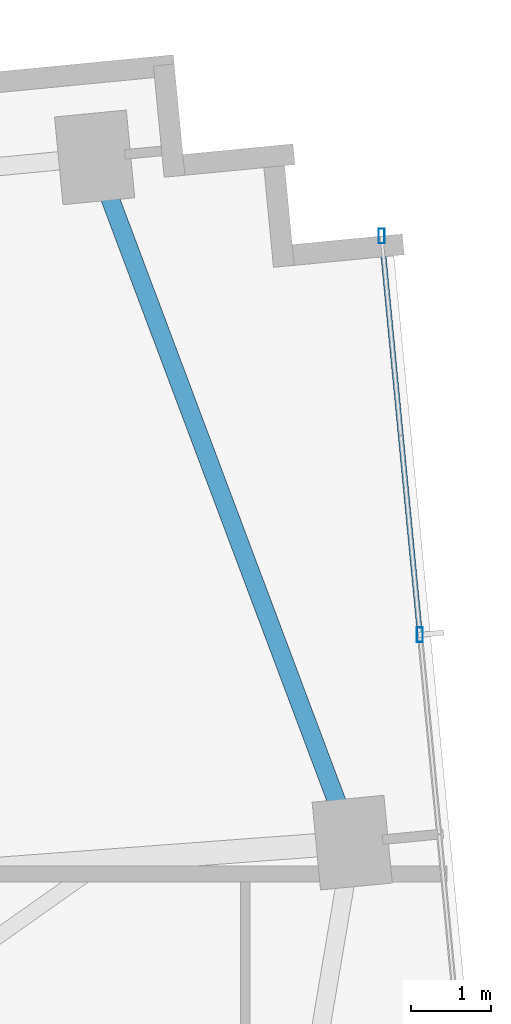
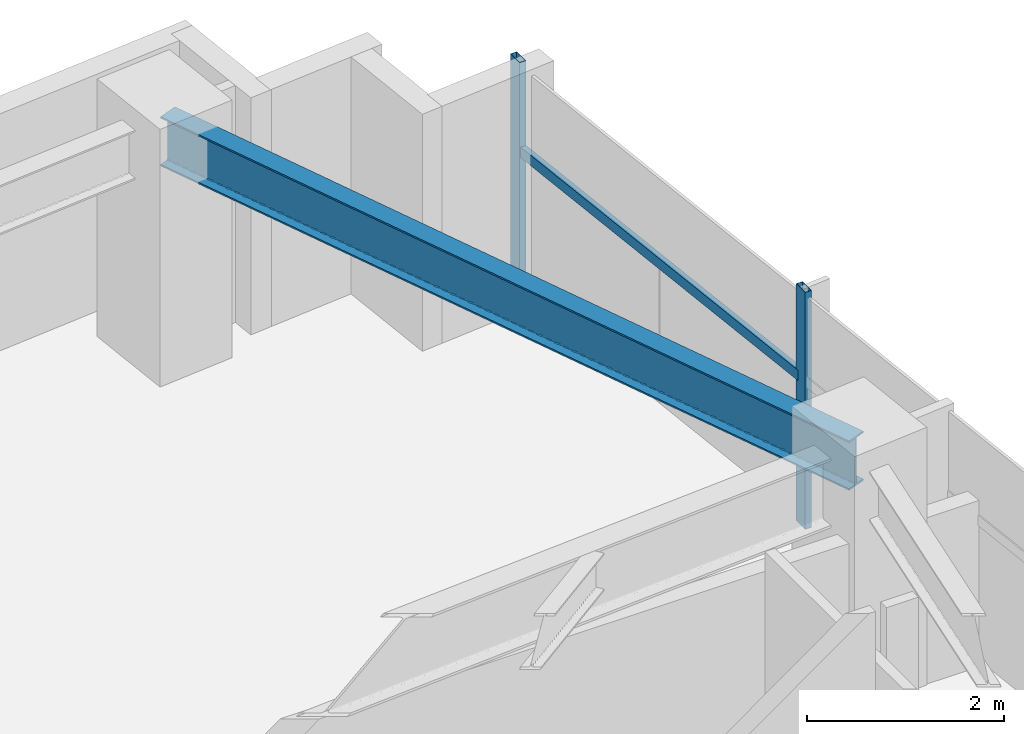
# One storey, part 19 of 27: 3 members, 1 beam, 1 element without a shape of its own.
"""IFC4 building model written with IfcOpenShell, lengths in metres."""

from ifc_helpers import new_model, si_unit, direction, frame, origin, origin_2d, place, context, subcontext, project, spatial, hollow_rectangle, i_section, extrude, source, transform, mapped, material, material_profile, profile_set, type_object, type_shapes, element, aggregate, save


model = new_model("IFC4")

# Units and contexts
model_context = context("Model", 3, precision=1e-05, world=origin(), true_north=direction((0.0, 1.0)))
body_context = subcontext(model_context, "Body", "Model", "MODEL_VIEW")
ifc_project = project(units=[si_unit("LENGTHUNIT", "METRE"), si_unit("AREAUNIT", "SQUARE_METRE"), si_unit("VOLUMEUNIT", "CUBIC_METRE"), si_unit("PLANEANGLEUNIT", "RADIAN"), si_unit("MASSUNIT", "GRAM", prefix="KILO")], contexts=[model_context])

# Site, building, storey
site_placement = place(None, origin())
site = spatial("IfcSite", under=ifc_project, at=site_placement, CompositionType="ELEMENT")
building_placement = place(site_placement, origin())
building = spatial("IfcBuilding", under=site, at=building_placement, Name="Astriad Promenade Condominiums", CompositionType="ELEMENT")
storey_placement = place(building_placement, frame((0.0, 0.0, 109.800048828125)))
storey = spatial("IfcBuildingStorey", under=building, at=storey_placement, Name="L31", CompositionType="ELEMENT", Elevation=109.800048828125)

# Beam
ifc_material_1 = material(Name="Steel ASTM A992 Grade 50", Category="steel")
ifc_material_profile_1 = material_profile(ifc_material_1, i_section(OverallWidth=0.22900390625, OverallDepth=0.612060546875, WebThickness=0.011962890625, FlangeThickness=0.01953125, FilletRadius=0.017822265625, at=origin_2d()), Name="W24X84")
ifc_profile_set_1 = profile_set([ifc_material_profile_1], Name="Steel ASTM A992 Grade 50")
beam_type = type_object("IfcBeamType", Name="STEEL SPANDREL BEAM W24X84", PredefinedType="SPANDREL", material=ifc_profile_set_1)
shared_shape_1 = source(origin(), body_context, "Body", "SweptSolid", [
    extrude(i_section(OverallWidth=0.22900390625, OverallDepth=0.612060546875, WebThickness=0.011962890625, FlangeThickness=0.01953125, FilletRadius=0.017822265625, at=origin_2d()), origin(), (0.0, 0.0, 1.0), 9.0556640625),
])
type_shapes(beam_type, [shared_shape_1])
beam_placement = place(storey_placement, frame((67.63427734375, 19.07666015625, 2.6337890625), z_axis=(-0.351856057459, 0.936054119605, 0.0), x_axis=(-0.936054119605, -0.351856057459, 0.0)))
element("IfcBeam", 1, at=beam_placement, inside=storey, type_object=beam_type, Name="Perimeter Spandrel Beam SP-E2-L31", PredefinedType="SPANDREL", context=body_context, shape_type="MappedRepresentation", body=[
    mapped(shared_shape_1, transform((0.0, 0.0, 0.0), scale=1.0)),
])

# Curtain wall, members
ifc_material_2 = material(Name="Anodised aluminium Black Dark Glass Unitised", Category="aluminium")
curtain_wall_type = type_object("IfcCurtainWallType", Name="CW-B2-DARK", PredefinedType="USERDEFINED", material=ifc_material_2)
curtain_wall_placement = place(storey_placement, origin())
curtain_wall = element("IfcCurtainWall", 2, at=curtain_wall_placement, inside=storey, type_object=curtain_wall_type, Name="CW-L31-E", ObjectType="UNITISED_CURTAIN_WALL", PredefinedType="USERDEFINED")
ifc_material_3 = material(Name="Anodised aluminium 6063-T6 Black", Category="aluminium")
ifc_material_profile_2 = material_profile(ifc_material_3, hollow_rectangle(XDim=0.074951171875, YDim=0.18505859375, WallThickness=0.00439453125, at=origin_2d()), Name="ALU-MUL-75X185")
ifc_profile_set_2 = profile_set([ifc_material_profile_2], Name="Anodised aluminium 6063-T6 Black")
member_type_1 = type_object("IfcMemberType", Name="MUL-ALU-MUL-75X185", PredefinedType="MULLION", material=ifc_profile_set_2)
shared_shape_2 = source(origin(), body_context, "Body", "SweptSolid", [
    extrude(hollow_rectangle(XDim=0.074951171875, YDim=0.18505859375, WallThickness=0.00439453125, at=origin_2d()), origin(), (0.0, 0.0, 1.0), 2.93994140625),
])
type_shapes(member_type_1, [shared_shape_2])
member_1_placement = place(storey_placement, frame((68.0146484375, 26.609130859375, 0.0), z_axis=(0.0, 0.0, 1.0), x_axis=(1.0, 0.0, 0.0)))
member_1 = element("IfcMember", 3, at=member_1_placement, type_object=member_type_1, Name="CW-L31-E-MUL-00", PredefinedType="MULLION", context=body_context, shape_type="MappedRepresentation", body=[
    mapped(shared_shape_2, transform((0.0, 0.0, 0.0), scale=1.0)),
])
member_2_placement = place(storey_placement, frame((68.493896484375, 21.632080078125, 0.0), z_axis=(0.0, 0.0, 1.0), x_axis=(1.0, 0.0, 0.0)))
member_2 = element("IfcMember", 4, at=member_2_placement, type_object=member_type_1, Name="CW-L31-E-MUL-01", PredefinedType="MULLION", context=body_context, shape_type="MappedRepresentation", body=[
    mapped(shared_shape_2, transform((0.0, 0.0, 0.0), scale=1.0)),
])
ifc_material_profile_3 = material_profile(ifc_material_3, hollow_rectangle(XDim=0.06494140625, YDim=0.1298828125, WallThickness=0.00390625, at=origin_2d()), Name="ALU-TRN-65X130")
ifc_profile_set_3 = profile_set([ifc_material_profile_3], Name="Anodised aluminium 6063-T6 Black")
member_type_2 = type_object("IfcMemberType", Name="TRN-ALU-TRN-65X130", PredefinedType="USERDEFINED", material=ifc_profile_set_3)
shared_shape_3 = source(origin(), body_context, "Body", "SweptSolid", [
    extrude(hollow_rectangle(XDim=0.06494140625, YDim=0.1298828125, WallThickness=0.00390625, at=origin_2d()), origin(), (0.0, 0.0, 1.0), 5.0),
])
type_shapes(member_type_2, [shared_shape_3])
member_3_placement = place(storey_placement, frame((68.0146484375, 26.609130859375, 1.82275390625), z_axis=(0.095848242264, -0.995395958629, 0.0), x_axis=(0.995395958629, 0.095848242264, 0.0)))
member_3 = element("IfcMember", 5, at=member_3_placement, type_object=member_type_2, Name="CW-L31-E-TRN-00-0", ObjectType="TRANSOM", PredefinedType="USERDEFINED", context=body_context, shape_type="MappedRepresentation", body=[
    mapped(shared_shape_3, transform((0.0, 0.0, 0.0), scale=1.0)),
])
aggregate(curtain_wall, [member_1, member_2, member_3])

save(model, "model.ifc")
